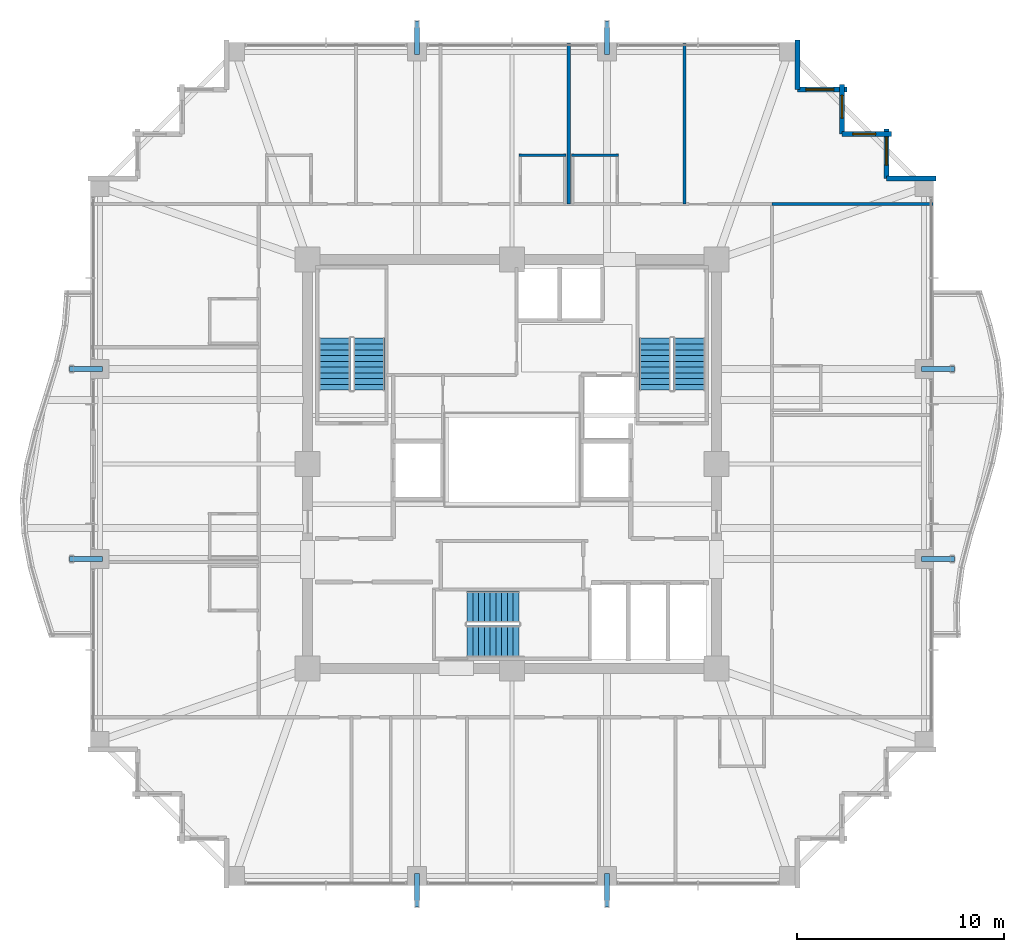
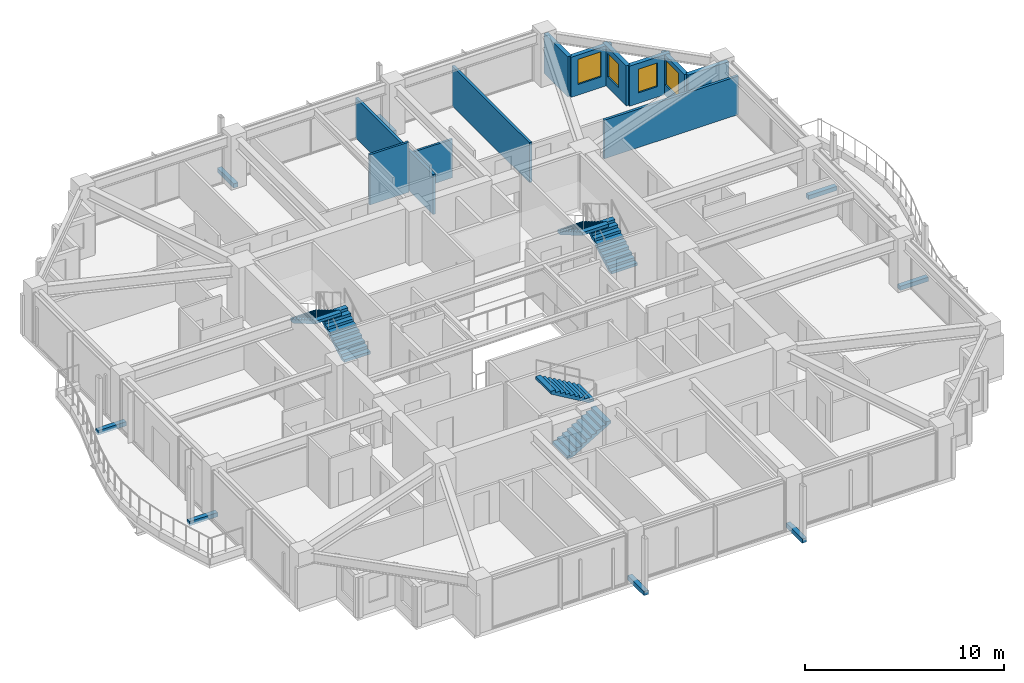
# One storey, part 33 of 35: 11 walls, 8 discrete accessories, 6 stair flights, 4 windows, 4 openings, 3 elements without a shape of their own.
"""IFC4 building model written with IfcOpenShell, lengths in metres."""

from ifc_helpers import new_model, si_unit, direction, frame, frame_2d, origin, origin_2d, place, context, subcontext, project, spatial, polyline, rectangle, outline, extrude, material, layer, layer_set, type_object, element, fill, aggregate, save


model = new_model("IFC4")

# Units and contexts
model_context = context("Model", 3, precision=1e-05, world=origin(), true_north=direction((0.0, 1.0)))
body_context = subcontext(model_context, "Body", "Model", "MODEL_VIEW")
ifc_project = project(units=[si_unit("LENGTHUNIT", "METRE"), si_unit("AREAUNIT", "SQUARE_METRE"), si_unit("VOLUMEUNIT", "CUBIC_METRE"), si_unit("PLANEANGLEUNIT", "RADIAN"), si_unit("MASSUNIT", "GRAM", prefix="KILO")], contexts=[model_context])

# Site, building, storey
site_placement = place(None, origin())
site = spatial("IfcSite", under=ifc_project, at=site_placement, CompositionType="ELEMENT")
building_placement = place(site_placement, origin())
building = spatial("IfcBuilding", under=site, at=building_placement, Name="Kolvaren Belvedere", CompositionType="ELEMENT")
storey_placement = place(building_placement, frame((0.0, 0.0, 176.699951171875)))
storey = spatial("IfcBuildingStorey", under=building, at=storey_placement, Name="L51", CompositionType="ELEMENT", Elevation=176.699951171875)

# Wall
ifc_material_1 = material(Name="Insulated pale-metal facade wall assembly", Category="aluminium")
ifc_layer_1 = layer(ifc_material_1, 0.239990234375)
ifc_layer_set_1 = layer_set([ifc_layer_1], Name="Insulated pale-metal facade wall assembly")
wall_type_1 = type_object("IfcWallType", Name="WL-EXT-240", PredefinedType="STANDARD", material=ifc_layer_set_1)
wall_1_placement = place(storey_placement, frame((18.1298828125, 13.830078125, 0.0), z_axis=(0.0, 0.0, 1.0), x_axis=(1.0, 0.0, 0.0)))
element("IfcWall", 1, at=wall_1_placement, inside=storey, type_object=wall_type_1, Name="L51 Serrated Corner Facade Wall 9", PredefinedType="STANDARD", context=body_context, shape_type="SweptSolid", body=[
    extrude(rectangle(XDim=2.39013671875, YDim=0.239990234375, at=frame_2d((1.195068359375, 0.0))), origin(), (0.0, 0.0, 1.0), 2.463134765625),
])

# Wall, opening, window
wall_2_placement = place(storey_placement, frame((18.1298828125, 16.219970703125, 0.0), z_axis=(0.0, 0.0, 1.0), x_axis=(0.0, -1.0, 0.0)))
wall_2 = element("IfcWall", 2, at=wall_2_placement, inside=storey, type_object=wall_type_1, Name="L51 Serrated Corner Facade Wall 10", PredefinedType="STANDARD", context=body_context, shape_type="SweptSolid", body=[
    extrude(rectangle(XDim=2.389892578125, YDim=0.239990234375, at=frame_2d((1.19482421875, 0.0))), origin(), (0.0, 0.0, 1.0), 2.463134765625),
])
opening_1_placement = place(wall_2_placement, frame((0.39990234375, 0.0, 0.64990234375)))
opening_1 = element("IfcOpeningElement", 3, at=opening_1_placement, cuts=wall_2, Name="Opening W-1350", PredefinedType="OPENING", context=body_context, shape_type="SweptSolid", body=[
    extrude(rectangle(XDim=1.35009765625, YDim=1.550048828125, at=frame_2d((0.675048828125, 0.77490234375))), frame((0.0, 0.1298828125, 0.0), z_axis=(0.0, -1.0, 0.0), x_axis=(1.0, 0.0, 0.0)), (0.0, 0.0, 1.0), 0.260009765625),
])
ifc_material_2 = material(Name="Low-iron triple insulated glass", Category="glass")
window_type_1 = type_object("IfcWindowType", Name="WN-CORN-1350", PartitioningType="SINGLE_PANEL", PredefinedType="WINDOW", material=ifc_material_2)
window_1_placement = place(opening_1_placement, origin())
window_1 = element("IfcWindow", 4, at=window_1_placement, inside=storey, type_object=window_type_1, Name="L51 Serrated Corner Vision Window 10", OverallHeight=1.550048828125, OverallWidth=1.35009765625, PartitioningType="SINGLE_PANEL", PredefinedType="WINDOW", context=body_context, shape_type="SweptSolid", body=[
    extrude(rectangle(XDim=1.35009765625, YDim=1.550048828125, at=frame_2d((0.675048828125, 0.77490234375))), frame((0.0, 0.030029296875, 0.0), z_axis=(0.0, -1.0, 0.0), x_axis=(1.0, 0.0, 0.0)), (0.0, 0.0, 1.0), 0.06005859375),
])
fill(opening_1, window_1)

wall_3_placement = place(storey_placement, frame((15.97998046875, 15.97998046875, 0.0), z_axis=(0.0, 0.0, 1.0), x_axis=(1.0, 0.0, 0.0)))
wall_3 = element("IfcWall", 5, at=wall_3_placement, inside=storey, type_object=wall_type_1, Name="L51 Serrated Corner Facade Wall 11", PredefinedType="STANDARD", context=body_context, shape_type="SweptSolid", body=[
    extrude(rectangle(XDim=2.39013671875, YDim=0.239990234375, at=frame_2d((1.195068359375, 0.0))), origin(), (0.0, 0.0, 1.0), 2.463134765625),
])
opening_2_placement = place(wall_3_placement, frame((0.52490234375, 0.0, 0.64990234375)))
opening_2 = element("IfcOpeningElement", 6, at=opening_2_placement, cuts=wall_3, Name="Opening W-1100", PredefinedType="OPENING", context=body_context, shape_type="SweptSolid", body=[
    extrude(rectangle(XDim=1.10009765625, YDim=1.449951171875, at=frame_2d((0.550048828125, 0.72509765625))), frame((0.0, 0.1298828125, 0.0), z_axis=(0.0, -1.0, 0.0), x_axis=(1.0, 0.0, 0.0)), (0.0, 0.0, 1.0), 0.260009765625),
])
ifc_material_3 = material(Name="Low-iron triple insulated glass", Category="glass")
window_type_2 = type_object("IfcWindowType", Name="WN-CORN-1100", PartitioningType="SINGLE_PANEL", PredefinedType="WINDOW", material=ifc_material_3)
window_2_placement = place(opening_2_placement, origin())
window_2 = element("IfcWindow", 7, at=window_2_placement, inside=storey, type_object=window_type_2, Name="L51 Serrated Corner Vision Window 11", OverallHeight=1.449951171875, OverallWidth=1.10009765625, PartitioningType="SINGLE_PANEL", PredefinedType="WINDOW", context=body_context, shape_type="SweptSolid", body=[
    extrude(rectangle(XDim=1.10009765625, YDim=1.449951171875, at=frame_2d((0.550048828125, 0.72509765625))), frame((0.0, 0.030029296875, 0.0), z_axis=(0.0, -1.0, 0.0), x_axis=(1.0, 0.0, 0.0)), (0.0, 0.0, 1.0), 0.06005859375),
])
fill(opening_2, window_2)

wall_4_placement = place(storey_placement, frame((15.97998046875, 18.3701171875, 0.0), z_axis=(0.0, 0.0, 1.0), x_axis=(0.0, -1.0, 0.0)))
wall_4 = element("IfcWall", 8, at=wall_4_placement, inside=storey, type_object=wall_type_1, Name="L51 Serrated Corner Facade Wall 12", PredefinedType="STANDARD", context=body_context, shape_type="SweptSolid", body=[
    extrude(rectangle(XDim=2.39013671875, YDim=0.239990234375, at=frame_2d((1.195068359375, 0.0))), origin(), (0.0, 0.0, 1.0), 2.463134765625),
])
opening_3_placement = place(wall_4_placement, frame((0.52490234375, 0.0, 0.64990234375)))
opening_3 = element("IfcOpeningElement", 9, at=opening_3_placement, cuts=wall_4, Name="Opening W-1100", PredefinedType="OPENING", context=body_context, shape_type="SweptSolid", body=[
    extrude(rectangle(XDim=1.10009765625, YDim=1.449951171875, at=frame_2d((0.550048828125, 0.72509765625))), frame((0.0, 0.1298828125, 0.0), z_axis=(0.0, -1.0, 0.0), x_axis=(1.0, 0.0, 0.0)), (0.0, 0.0, 1.0), 0.260009765625),
])
window_3_placement = place(opening_3_placement, origin())
window_3 = element("IfcWindow", 10, at=window_3_placement, inside=storey, type_object=window_type_2, Name="L51 Serrated Corner Vision Window 12", OverallHeight=1.449951171875, OverallWidth=1.10009765625, PartitioningType="SINGLE_PANEL", PredefinedType="WINDOW", context=body_context, shape_type="SweptSolid", body=[
    extrude(rectangle(XDim=1.10009765625, YDim=1.449951171875, at=frame_2d((0.550048828125, 0.72509765625))), frame((0.0, 0.030029296875, 0.0), z_axis=(0.0, -1.0, 0.0), x_axis=(1.0, 0.0, 0.0)), (0.0, 0.0, 1.0), 0.06005859375),
])
fill(opening_3, window_3)

wall_5_placement = place(storey_placement, frame((13.830078125, 18.1298828125, 0.0), z_axis=(0.0, 0.0, 1.0), x_axis=(1.0, 0.0, 0.0)))
wall_5 = element("IfcWall", 11, at=wall_5_placement, inside=storey, type_object=wall_type_1, Name="L51 Serrated Corner Facade Wall 13", PredefinedType="STANDARD", context=body_context, shape_type="SweptSolid", body=[
    extrude(rectangle(XDim=2.389892578125, YDim=0.239990234375, at=frame_2d((1.19482421875, 0.0))), origin(), (0.0, 0.0, 1.0), 2.463134765625),
])
opening_4_placement = place(wall_5_placement, frame((0.39990234375, 0.0, 0.64990234375)))
opening_4 = element("IfcOpeningElement", 12, at=opening_4_placement, cuts=wall_5, Name="Opening W-1350", PredefinedType="OPENING", context=body_context, shape_type="SweptSolid", body=[
    extrude(rectangle(XDim=1.35009765625, YDim=1.550048828125, at=frame_2d((0.675048828125, 0.77490234375))), frame((0.0, 0.1298828125, 0.0), z_axis=(0.0, -1.0, 0.0), x_axis=(1.0, 0.0, 0.0)), (0.0, 0.0, 1.0), 0.260009765625),
])
window_4_placement = place(opening_4_placement, origin())
window_4 = element("IfcWindow", 13, at=window_4_placement, inside=storey, type_object=window_type_1, Name="L51 Serrated Corner Vision Window 13", OverallHeight=1.550048828125, OverallWidth=1.35009765625, PartitioningType="SINGLE_PANEL", PredefinedType="WINDOW", context=body_context, shape_type="SweptSolid", body=[
    extrude(rectangle(XDim=1.35009765625, YDim=1.550048828125, at=frame_2d((0.675048828125, 0.77490234375))), frame((0.0, 0.030029296875, 0.0), z_axis=(0.0, -1.0, 0.0), x_axis=(1.0, 0.0, 0.0)), (0.0, 0.0, 1.0), 0.06005859375),
])
fill(opening_4, window_4)

# Walls
wall_6_placement = place(storey_placement, frame((13.830078125, 20.52001953125, 0.0), z_axis=(0.0, 0.0, 1.0), x_axis=(0.0, -1.0, 0.0)))
element("IfcWall", 14, at=wall_6_placement, inside=storey, type_object=wall_type_1, Name="L51 Serrated Corner Facade Wall 14", PredefinedType="STANDARD", context=body_context, shape_type="SweptSolid", body=[
    extrude(rectangle(XDim=2.39013671875, YDim=0.239990234375, at=frame_2d((1.195068359375, 0.0))), origin(), (0.0, 0.0, 1.0), 2.463134765625),
])
ifc_material_4 = material(Name="Gypsum acoustic partition assembly", Category="gypsum")
ifc_layer_2 = layer(ifc_material_4, 0.14990234375)
ifc_layer_set_2 = layer_set([ifc_layer_2], Name="Gypsum acoustic partition assembly")
wall_type_2 = type_object("IfcWallType", Name="WL-PART-150", PredefinedType="PARTITIONING", material=ifc_layer_set_2)
wall_7_placement = place(storey_placement, frame((12.580078125, 12.580078125, 0.0), z_axis=(0.0, 0.0, 1.0), x_axis=(1.0, 0.0, 0.0)))
element("IfcWall", 15, at=wall_7_placement, inside=storey, type_object=wall_type_2, Name="L51 Wing Divider PW-L51-QNE", PredefinedType="PARTITIONING", context=body_context, shape_type="SweptSolid", body=[
    extrude(rectangle(XDim=7.7998046875, YDim=0.14990234375, at=frame_2d((3.89990234375, 0.0))), origin(), (0.0, 0.0, 1.0), 2.369140625),
])
for number, where, z_axis, x_axis, name in (
    (16, (2.748046875, 12.580078125, 0.0), (0.0, 0.0, 1.0), (0.0, 1.0, 0.0), "L51 North Suite Demising Wall 3"),
    (17, (8.347900390625, 12.580078125, 0.0), (0.0, 0.0, 1.0), (0.0, 1.0, 0.0), "L51 North Suite Demising Wall 4"),
):
    element("IfcWall", number, at=place(storey_placement, frame(where, z_axis=z_axis, x_axis=x_axis)), inside=storey, type_object=wall_type_2, Name=name, PredefinedType="PARTITIONING", context=body_context, shape_type="SweptSolid", body=[
        extrude(rectangle(XDim=7.7998046875, YDim=0.14990234375, at=frame_2d((3.89990234375, 0.0))), origin(), (0.0, 0.0, 1.0), 2.453125),
    ])
ifc_material_5 = material(Name="Moisture-resistant gypsum partition", Category="gypsum")
ifc_layer_3 = layer(ifc_material_5, 0.125)
ifc_layer_set_3 = layer_set([ifc_layer_3], Name="Moisture-resistant gypsum partition")
wall_type_3 = type_object("IfcWallType", Name="WL-WET-125", PredefinedType="PARTITIONING", material=ifc_layer_set_3)
wall_8_placement = place(storey_placement, frame((0.343017578125, 14.955078125, 0.0), z_axis=(0.0, 0.0, 1.0), x_axis=(1.0, 0.0, 0.0)))
element("IfcWall", 18, at=wall_8_placement, inside=storey, type_object=wall_type_3, Name="L51 Bathroom Partition PW-L51-BTH-12-H", PredefinedType="PARTITIONING", context=body_context, shape_type="SweptSolid", body=[
    extrude(rectangle(XDim=2.27001953125, YDim=0.125, at=frame_2d((1.135009765625, 0.0))), origin(), (0.0, 0.0, 1.0), 3.080078125),
])
wall_9_placement = place(storey_placement, frame((2.883056640625, 14.955078125, 0.0), z_axis=(0.0, 0.0, 1.0), x_axis=(1.0, 0.0, 0.0)))
element("IfcWall", 19, at=wall_9_placement, inside=storey, type_object=wall_type_3, Name="L51 Bathroom Partition PW-L51-BTH-13-H", PredefinedType="PARTITIONING", context=body_context, shape_type="SweptSolid", body=[
    extrude(rectangle(XDim=2.27001953125, YDim=0.125, at=frame_2d((1.135009765625, 0.0))), origin(), (0.0, 0.0, 1.0), 2.369140625),
])

# Stair, stair flights
ifc_material_6 = material(Name="Concrete C50/60", Category="concrete")
stair_type = type_object("IfcStairType", Name="ST-CORE-1520", PredefinedType="HALF_TURN_STAIR", material=ifc_material_6)
stair_1_placement = place(storey_placement, origin())
stair_1 = element("IfcStair", 20, at=stair_1_placement, inside=storey, type_object=stair_type, Name="L51 Protected Exit Stair ST-1", PredefinedType="HALF_TURN_STAIR")
ifc_material_7 = material(Name="Concrete C50/60", Category="concrete")
stair_flight_type = type_object("IfcStairFlightType", Name="SF-STR-1520", PredefinedType="STRAIGHT", material=ifc_material_7)
stair_flight_1_placement = place(storey_placement, frame((-6.919921875, 3.570068359375, 0.0), z_axis=(0.0, 0.0, 1.0), x_axis=(0.0, 1.0, 0.0)))
stair_flight_1 = element("IfcStairFlight", 21, at=stair_flight_1_placement, type_object=stair_flight_type, Name="ST-1 flight 1", NumberOfRisers=10, NumberOfTreads=9, PredefinedType="STRAIGHT", RiserHeight=0.165, TreadLength=0.28, context=body_context, shape_type="SweptSolid", body=[
    extrude(outline(polyline([(0.0, 0.0), (0.0, 0.1650390625), (0.280029296875, 0.1650390625), (0.280029296875, 0.330078125), (0.56005859375, 0.330078125), (0.56005859375, 0.4951171875), (0.840087890625, 0.4951171875), (0.840087890625, 0.659912109375), (1.1201171875, 0.659912109375), (1.1201171875, 0.824951171875), (1.39990234375, 0.824951171875), (1.39990234375, 0.989990234375), (1.679931640625, 0.989990234375), (1.679931640625, 1.155029296875), (1.9599609375, 1.155029296875), (1.9599609375, 1.320068359375), (2.239990234375, 1.320068359375), (2.239990234375, 1.485107421875), (2.52001953125, 1.485107421875), (2.52001953125, 1.64990234375), (2.52001953125, 1.31103515625), (0.295166015625, 0.0), (0.0, 0.0)])), frame((0.0, 0.760009765625, 0.0), z_axis=(0.0, -1.0, 0.0), x_axis=(1.0, 0.0, 0.0)), (0.0, 0.0, 1.0), 1.52001953125),
])
stair_flight_2_placement = place(storey_placement, frame((-8.590087890625, 6.090087890625, 1.650146484375), z_axis=(0.0, 0.0, 1.0), x_axis=(0.0, -1.0, 0.0)))
stair_flight_2 = element("IfcStairFlight", 22, at=stair_flight_2_placement, type_object=stair_flight_type, Name="ST-1 flight 2", NumberOfRisers=10, NumberOfTreads=9, PredefinedType="STRAIGHT", RiserHeight=0.165, TreadLength=0.28, context=body_context, shape_type="SweptSolid", body=[
    extrude(outline(polyline([(0.0, 0.0), (0.0, 0.1650390625), (0.280029296875, 0.1650390625), (0.280029296875, 0.330078125), (0.56005859375, 0.330078125), (0.56005859375, 0.4951171875), (0.840087890625, 0.4951171875), (0.840087890625, 0.659912109375), (1.1201171875, 0.659912109375), (1.1201171875, 0.824951171875), (1.39990234375, 0.824951171875), (1.39990234375, 0.989990234375), (1.679931640625, 0.989990234375), (1.679931640625, 1.155029296875), (1.9599609375, 1.155029296875), (1.9599609375, 1.320068359375), (2.239990234375, 1.320068359375), (2.239990234375, 1.485107421875), (2.52001953125, 1.485107421875), (2.52001953125, 1.64990234375), (2.52001953125, 1.31103515625), (0.295166015625, 0.0), (0.0, 0.0)])), frame((0.0, 0.760009765625, 0.0), z_axis=(0.0, -1.0, 0.0), x_axis=(1.0, 0.0, 0.0)), (0.0, 0.0, 1.0), 1.52001953125),
])
aggregate(stair_1, [stair_flight_1, stair_flight_2])

stair_2_placement = place(storey_placement, origin())
stair_2 = element("IfcStair", 23, at=stair_2_placement, inside=storey, type_object=stair_type, Name="L51 Protected Exit Stair ST-2", PredefinedType="HALF_TURN_STAIR")
stair_flight_3_placement = place(storey_placement, frame((8.590087890625, 3.570068359375, 0.0), z_axis=(0.0, 0.0, 1.0), x_axis=(0.0, 1.0, 0.0)))
stair_flight_3 = element("IfcStairFlight", 24, at=stair_flight_3_placement, type_object=stair_flight_type, Name="ST-2 flight 1", NumberOfRisers=10, NumberOfTreads=9, PredefinedType="STRAIGHT", RiserHeight=0.165, TreadLength=0.28, context=body_context, shape_type="SweptSolid", body=[
    extrude(outline(polyline([(0.0, 0.0), (0.0, 0.1650390625), (0.280029296875, 0.1650390625), (0.280029296875, 0.330078125), (0.56005859375, 0.330078125), (0.56005859375, 0.4951171875), (0.840087890625, 0.4951171875), (0.840087890625, 0.659912109375), (1.1201171875, 0.659912109375), (1.1201171875, 0.824951171875), (1.39990234375, 0.824951171875), (1.39990234375, 0.989990234375), (1.679931640625, 0.989990234375), (1.679931640625, 1.155029296875), (1.9599609375, 1.155029296875), (1.9599609375, 1.320068359375), (2.239990234375, 1.320068359375), (2.239990234375, 1.485107421875), (2.52001953125, 1.485107421875), (2.52001953125, 1.64990234375), (2.52001953125, 1.31103515625), (0.295166015625, 0.0), (0.0, 0.0)])), frame((0.0, 0.760009765625, 0.0), z_axis=(0.0, -1.0, 0.0), x_axis=(1.0, 0.0, 0.0)), (0.0, 0.0, 1.0), 1.52001953125),
])
stair_flight_4_placement = place(storey_placement, frame((6.919921875, 6.090087890625, 1.650146484375), z_axis=(0.0, 0.0, 1.0), x_axis=(0.0, -1.0, 0.0)))
stair_flight_4 = element("IfcStairFlight", 25, at=stair_flight_4_placement, type_object=stair_flight_type, Name="ST-2 flight 2", NumberOfRisers=10, NumberOfTreads=9, PredefinedType="STRAIGHT", RiserHeight=0.165, TreadLength=0.28, context=body_context, shape_type="SweptSolid", body=[
    extrude(outline(polyline([(0.0, 0.0), (0.0, 0.1650390625), (0.280029296875, 0.1650390625), (0.280029296875, 0.330078125), (0.56005859375, 0.330078125), (0.56005859375, 0.4951171875), (0.840087890625, 0.4951171875), (0.840087890625, 0.659912109375), (1.1201171875, 0.659912109375), (1.1201171875, 0.824951171875), (1.39990234375, 0.824951171875), (1.39990234375, 0.989990234375), (1.679931640625, 0.989990234375), (1.679931640625, 1.155029296875), (1.9599609375, 1.155029296875), (1.9599609375, 1.320068359375), (2.239990234375, 1.320068359375), (2.239990234375, 1.485107421875), (2.52001953125, 1.485107421875), (2.52001953125, 1.64990234375), (2.52001953125, 1.31103515625), (0.295166015625, 0.0), (0.0, 0.0)])), frame((0.0, 0.760009765625, 0.0), z_axis=(0.0, -1.0, 0.0), x_axis=(1.0, 0.0, 0.0)), (0.0, 0.0, 1.0), 1.52001953125),
])
aggregate(stair_2, [stair_flight_3, stair_flight_4])

stair_3_placement = place(storey_placement, origin())
stair_3 = element("IfcStair", 26, at=stair_3_placement, inside=storey, type_object=stair_type, Name="L51 Protected Exit Stair ST-3", PredefinedType="HALF_TURN_STAIR")
stair_flight_5_placement = place(storey_placement, frame((-2.179931640625, -8.590087890625, 0.0), z_axis=(0.0, 0.0, 1.0), x_axis=(1.0, 0.0, 0.0)))
stair_flight_5 = element("IfcStairFlight", 27, at=stair_flight_5_placement, type_object=stair_flight_type, Name="ST-3 flight 1", NumberOfRisers=10, NumberOfTreads=9, PredefinedType="STRAIGHT", RiserHeight=0.165, TreadLength=0.28, context=body_context, shape_type="SweptSolid", body=[
    extrude(outline(polyline([(0.0, 0.0), (0.0, 0.1650390625), (0.280029296875, 0.1650390625), (0.280029296875, 0.330078125), (0.56005859375, 0.330078125), (0.56005859375, 0.4951171875), (0.840087890625, 0.4951171875), (0.840087890625, 0.659912109375), (1.1201171875, 0.659912109375), (1.1201171875, 0.824951171875), (1.39990234375, 0.824951171875), (1.39990234375, 0.989990234375), (1.679931640625, 0.989990234375), (1.679931640625, 1.155029296875), (1.9599609375, 1.155029296875), (1.9599609375, 1.320068359375), (2.239990234375, 1.320068359375), (2.239990234375, 1.485107421875), (2.52001953125, 1.485107421875), (2.52001953125, 1.64990234375), (2.52001953125, 1.31103515625), (0.295166015625, 0.0), (0.0, 0.0)])), frame((0.0, 0.760009765625, 0.0), z_axis=(0.0, -1.0, 0.0), x_axis=(1.0, 0.0, 0.0)), (0.0, 0.0, 1.0), 1.52001953125),
])
stair_flight_6_placement = place(storey_placement, frame((0.340087890625, -6.919921875, 1.650146484375), z_axis=(0.0, 0.0, 1.0), x_axis=(-1.0, 0.0, 0.0)))
stair_flight_6 = element("IfcStairFlight", 28, at=stair_flight_6_placement, type_object=stair_flight_type, Name="ST-3 flight 2", NumberOfRisers=10, NumberOfTreads=9, PredefinedType="STRAIGHT", RiserHeight=0.165, TreadLength=0.28, context=body_context, shape_type="SweptSolid", body=[
    extrude(outline(polyline([(0.0, 0.0), (0.0, 0.1650390625), (0.280029296875, 0.1650390625), (0.280029296875, 0.330078125), (0.56005859375, 0.330078125), (0.56005859375, 0.4951171875), (0.840087890625, 0.4951171875), (0.840087890625, 0.659912109375), (1.1201171875, 0.659912109375), (1.1201171875, 0.824951171875), (1.39990234375, 0.824951171875), (1.39990234375, 0.989990234375), (1.679931640625, 0.989990234375), (1.679931640625, 1.155029296875), (1.9599609375, 1.155029296875), (1.9599609375, 1.320068359375), (2.239990234375, 1.320068359375), (2.239990234375, 1.485107421875), (2.52001953125, 1.485107421875), (2.52001953125, 1.64990234375), (2.52001953125, 1.31103515625), (0.295166015625, 0.0), (0.0, 0.0)])), frame((0.0, 0.760009765625, 0.0), z_axis=(0.0, -1.0, 0.0), x_axis=(1.0, 0.0, 0.0)), (0.0, 0.0, 1.0), 1.52001953125),
])
aggregate(stair_3, [stair_flight_5, stair_flight_6])

# Discrete accessories
ifc_material_8 = material(Name="Structural steel ASTM A572 Grade 50", Category="steel")
discrete_accessory_type = type_object("IfcDiscreteAccessoryType", Name="BRK-1 Steel Facade Support Bracket", PredefinedType="BRACKET", material=ifc_material_8)
for number, where, z_axis, x_axis, name in (
    (29, (-4.60009765625, 20.635009765625, -0.169921875), (0.0, 0.0, 1.0), (0.0, 1.0, 0.0), "L51 Picture-Frame Outrigger Cleat Bracket N1"),
    (30, (4.60009765625, 20.635009765625, -0.169921875), (0.0, 0.0, 1.0), (0.0, 1.0, 0.0), "L51 Picture-Frame Outrigger Cleat Bracket N2"),
    (31, (4.60009765625, -20.635009765625, -0.169921875), (0.0, 0.0, 1.0), (0.0, 1.0, 0.0), "L51 Picture-Frame Outrigger Cleat Bracket S1"),
    (32, (-4.60009765625, -20.635009765625, -0.169921875), (0.0, 0.0, 1.0), (0.0, 1.0, 0.0), "L51 Picture-Frame Outrigger Cleat Bracket S2"),
    (33, (20.635009765625, 4.60009765625, -0.169921875), (0.0, 0.0, 1.0), (1.0, 0.0, 0.0), "L51 Picture-Frame Outrigger Cleat Bracket E1"),
    (34, (20.635009765625, -4.60009765625, -0.169921875), (0.0, 0.0, 1.0), (1.0, 0.0, 0.0), "L51 Picture-Frame Outrigger Cleat Bracket E2"),
    (35, (-20.635009765625, -4.60009765625, -0.169921875), (0.0, 0.0, 1.0), (1.0, 0.0, 0.0), "L51 Picture-Frame Outrigger Cleat Bracket W1"),
    (36, (-20.635009765625, 4.60009765625, -0.169921875), (0.0, 0.0, 1.0), (1.0, 0.0, 0.0), "L51 Picture-Frame Outrigger Cleat Bracket W2"),
):
    element("IfcDiscreteAccessory", number, at=place(storey_placement, frame(where, z_axis=z_axis, x_axis=x_axis)), inside=storey, type_object=discrete_accessory_type, Name=name, PredefinedType="BRACKET", context=body_context, shape_type="SweptSolid", body=[
        extrude(rectangle(XDim=1.639892578125, YDim=0.260009765625, at=origin_2d()), origin(), (0.0, 0.0, 1.0), 0.260009765625),
    ])

save(model, "model.ifc")
